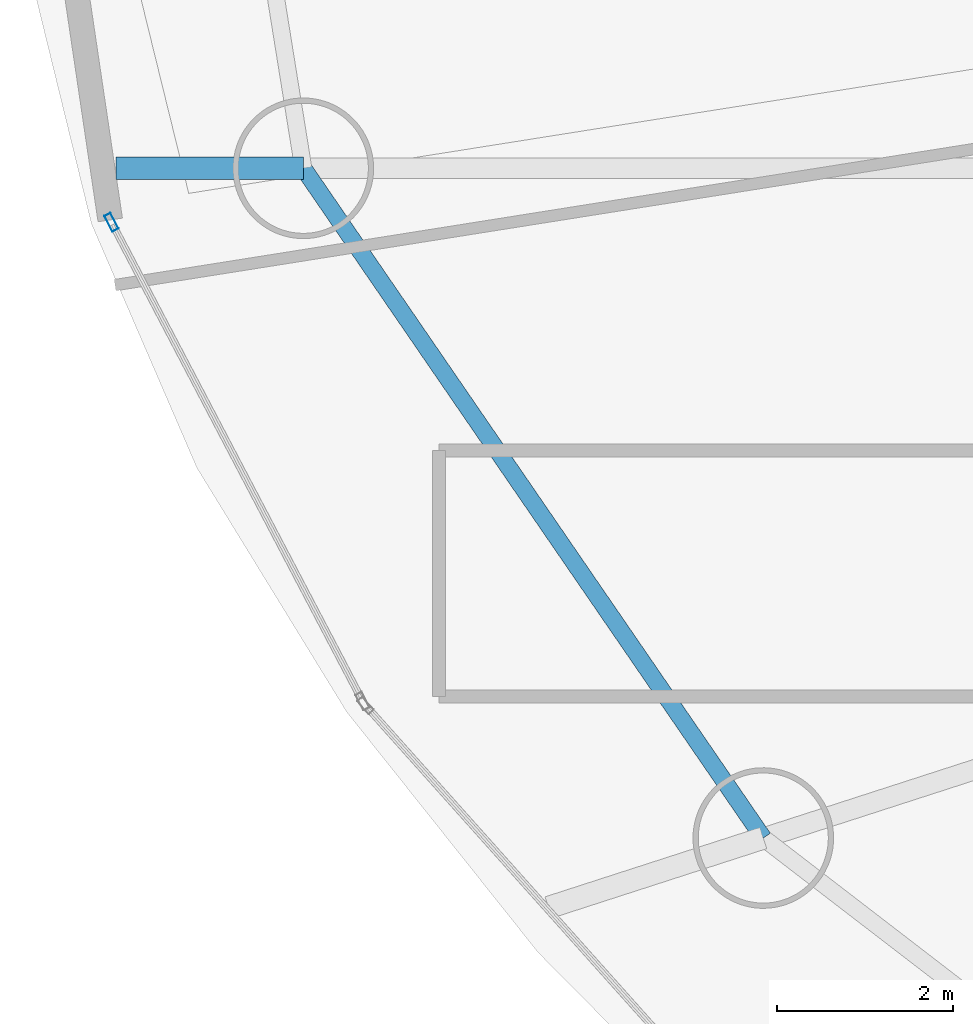
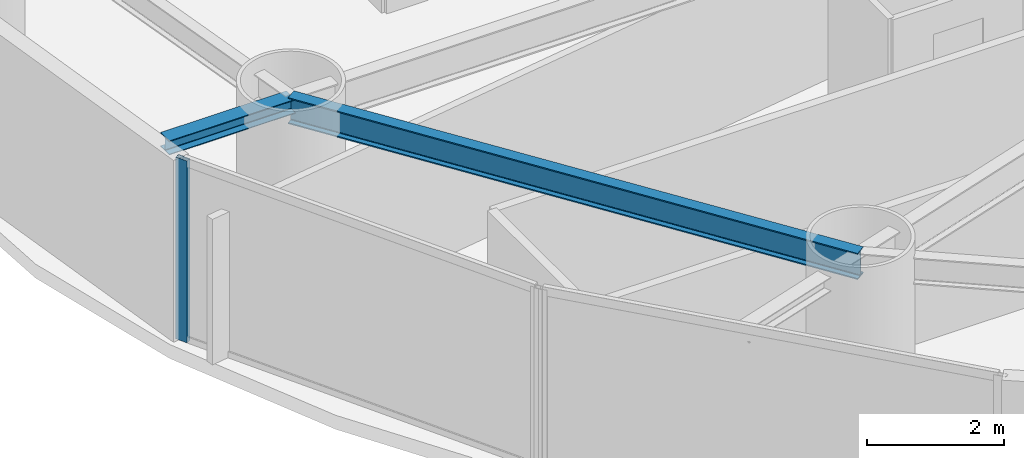
# One storey, part 4 of 25: 2 beams, 1 member, 1 element without a shape of its own.
"""IFC4 building model written with IfcOpenShell, lengths in metres."""

from ifc_helpers import new_model, si_unit, direction, frame, origin, origin_2d, place, context, subcontext, project, spatial, hollow_rectangle, i_section, extrude, material, layer, layer_set, material_profile, profile_set, type_object, element, aggregate, save


model = new_model("IFC4")

# Units and contexts
model_context = context("Model", 3, precision=1e-05, world=origin(), true_north=direction((0.0, 1.0)))
body_context = subcontext(model_context, "Body", "Model", "MODEL_VIEW")
ifc_project = project(units=[si_unit("LENGTHUNIT", "METRE"), si_unit("AREAUNIT", "SQUARE_METRE"), si_unit("VOLUMEUNIT", "CUBIC_METRE"), si_unit("PLANEANGLEUNIT", "RADIAN"), si_unit("MASSUNIT", "GRAM", prefix="KILO")], contexts=[model_context])

# Site, building, storey
site_placement = place(None, origin())
site = spatial("IfcSite", under=ifc_project, at=site_placement, CompositionType="ELEMENT")
building_placement = place(site_placement, origin())
building = spatial("IfcBuilding", under=site, at=building_placement, Name="Bramvorn Convention Spire", CompositionType="ELEMENT")
storey_placement = place(building_placement, frame((0.0, 0.0, 48.39990234375)))
storey = spatial("IfcBuildingStorey", under=building, at=storey_placement, Name="L09", CompositionType="ELEMENT", Elevation=48.39990234375)

# Beams
ifc_material_1 = material(Name="Steel CSA G40.21 Grade 350 (350W)", Category="steel")
ifc_material_profile_1 = material_profile(ifc_material_1, i_section(OverallWidth=0.25390625, OverallDepth=0.2529296875, WebThickness=0.008544921875, FlangeThickness=0.01416015625, FilletRadius=0.011962890625, at=origin_2d()))
ifc_profile_set_1 = profile_set([ifc_material_profile_1], Name="Steel CSA G40.21 Grade 350 (350W) - W250X73")
beam_type_1 = type_object("IfcBeamType", Name="BM-W250X73", PredefinedType="BEAM", material=ifc_profile_set_1)
beam_1_placement = place(storey_placement, frame((10.661376953125, 22.659912109375, 3.108642578125), z_axis=(-1.0, 0.0, 0.0), x_axis=(0.0, -1.0, 0.0)))
element("IfcBeam", 1, at=beam_1_placement, inside=storey, type_object=beam_type_1, Name="L09 slab-edge cantilever tip beam MC10", PredefinedType="BEAM", context=body_context, shape_type="SweptSolid", body=[
    extrude(i_section(OverallWidth=0.25390625, OverallDepth=0.2529296875, WebThickness=0.008544921875, FlangeThickness=0.01416015625, FilletRadius=0.011962890625, at=origin_2d()), origin(), (0.0, 0.0, 1.0), 2.130859375),
])
ifc_material_profile_2 = material_profile(ifc_material_1, i_section(OverallWidth=0.194091796875, OverallDepth=0.468994140625, WebThickness=0.0126953125, FlangeThickness=0.0205078125, FilletRadius=0.01806640625, at=origin_2d()))
ifc_profile_set_2 = profile_set([ifc_material_profile_2], Name="Steel CSA G40.21 Grade 350 (350W) - W460X106")
beam_type_2 = type_object("IfcBeamType", Name="BM-W460X106", PredefinedType="SPANDREL", material=ifc_profile_set_2)
beam_2_placement = place(storey_placement, frame((10.661376953125, 22.659912109375, 3.015625), z_axis=(0.566129730789, -0.824316157743, 0.0), x_axis=(0.824316157743, 0.566129730789, 0.0)))
element("IfcBeam", 2, at=beam_2_placement, inside=storey, type_object=beam_type_2, Name="L09 mega-column ring beam 10", PredefinedType="SPANDREL", context=body_context, shape_type="SweptSolid", body=[
    extrude(i_section(OverallWidth=0.194091796875, OverallDepth=0.468994140625, WebThickness=0.0126953125, FlangeThickness=0.0205078125, FilletRadius=0.01806640625, at=origin_2d()), origin(), (0.0, 0.0, 1.0), 9.244140625),
])

# Curtain wall, member
ifc_material_2 = material(Name="Anodised Bronze Unitised Curtain Wall", Category="aluminium")
ifc_layer = layer(ifc_material_2, 0.179931640625)
ifc_layer_set = layer_set([ifc_layer], Name="Anodised Bronze Unitised Curtain Wall - CW-HTL-FRIT")
curtain_wall_type = type_object("IfcCurtainWallType", Name="CW-HTL-FRIT", PredefinedType="USERDEFINED", material=ifc_layer_set)
curtain_wall_placement = place(storey_placement, origin())
curtain_wall = element("IfcCurtainWall", 3, at=curtain_wall_placement, inside=storey, type_object=curtain_wall_type, Name="L09 fritted glass curtain wall 14", ObjectType="UNITISED CURTAIN WALL", PredefinedType="USERDEFINED")
ifc_material_3 = material(Name="Anodised Bronze Aluminium 6063-T6", Category="aluminium")
ifc_material_profile_3 = material_profile(ifc_material_3, hollow_rectangle(XDim=0.080078125, YDim=0.199951171875, WallThickness=0.00390625, InnerFilletRadius=0.0009765625, OuterFilletRadius=0.00390625, at=origin_2d()))
ifc_profile_set_3 = profile_set([ifc_material_profile_3], Name="Anodised Bronze Aluminium 6063-T6 - CWM80X200")
member_type = type_object("IfcMemberType", Name="CW-MUL-180", PredefinedType="MULLION", material=ifc_profile_set_3)
member_placement = place(storey_placement, frame((8.478271484375, 22.046142578125, 0.0), z_axis=(0.0, 0.0, 1.0), x_axis=(-0.885628851521, -0.464393730959, 0.0)))
member = element("IfcMember", 4, at=member_placement, type_object=member_type, Name="CW2 mullion 2", PredefinedType="MULLION", context=body_context, shape_type="SweptSolid", body=[
    extrude(hollow_rectangle(XDim=0.080078125, YDim=0.199951171875, WallThickness=0.00390625, InnerFilletRadius=0.0009765625, OuterFilletRadius=0.00390625, at=origin_2d()), origin(), (0.0, 0.0, 1.0), 3.25),
])
aggregate(curtain_wall, [member])

save(model, "model.ifc")
